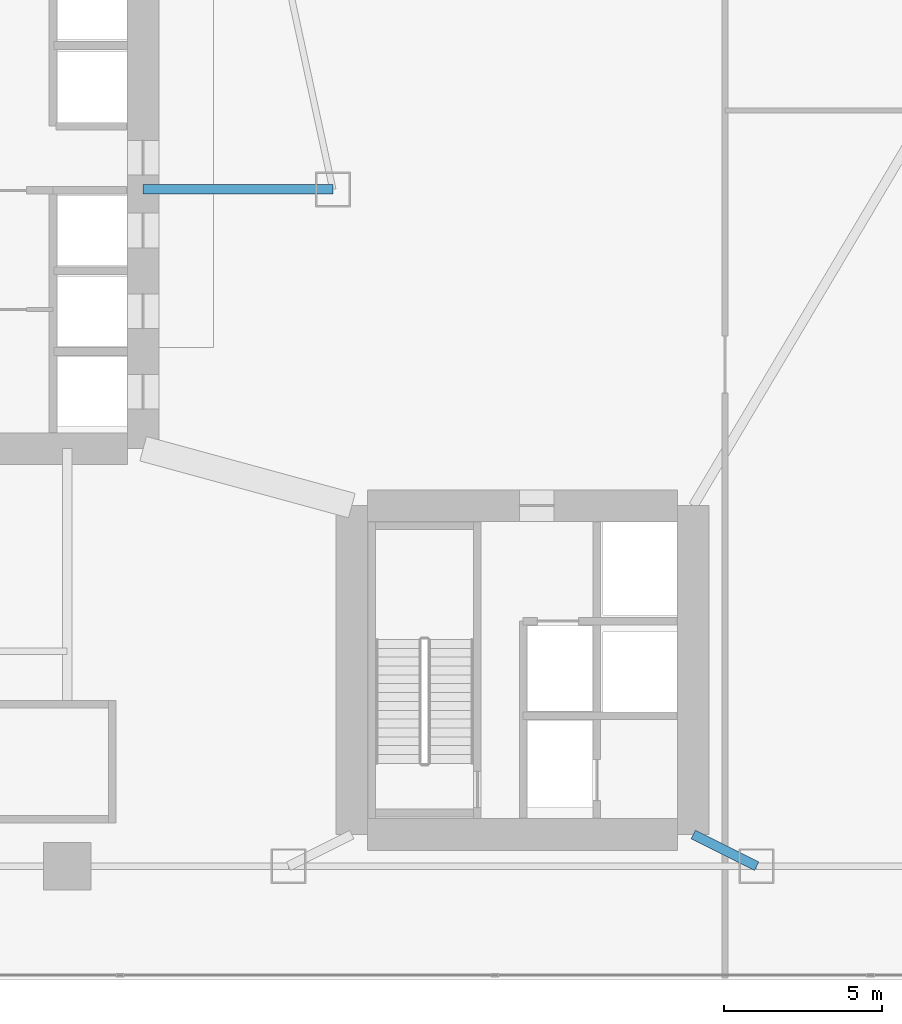
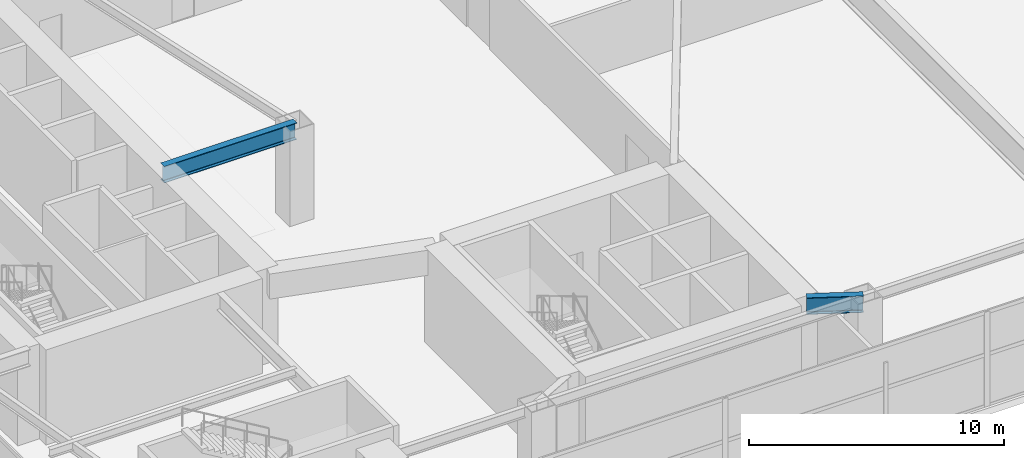
# One storey, part 10 of 30: 2 beams.
"""IFC4 building model written with IfcOpenShell, lengths in metres."""

from ifc_helpers import new_model, si_unit, direction, frame, origin, origin_2d, place, context, subcontext, project, spatial, i_section, extrude, material, material_profile, profile_set, type_object, element, save


model = new_model("IFC4")

# Units and contexts
model_context = context("Model", 3, precision=1e-05, world=origin(), true_north=direction((0.0, 1.0)))
body_context = subcontext(model_context, "Body", "Model", "MODEL_VIEW")
ifc_project = project(units=[si_unit("LENGTHUNIT", "METRE"), si_unit("AREAUNIT", "SQUARE_METRE"), si_unit("VOLUMEUNIT", "CUBIC_METRE"), si_unit("PLANEANGLEUNIT", "RADIAN"), si_unit("MASSUNIT", "GRAM", prefix="KILO")], contexts=[model_context])

# Site, building, storey
site_placement = place(None, origin())
site = spatial("IfcSite", under=ifc_project, at=site_placement, CompositionType="ELEMENT")
building_placement = place(site_placement, origin())
building = spatial("IfcBuilding", under=site, at=building_placement, Name="Calvorn Quay Hotel", CompositionType="ELEMENT")
storey_placement = place(building_placement, frame((0.0, 0.0, 17.0)))
storey = spatial("IfcBuildingStorey", under=building, at=storey_placement, Name="L03", CompositionType="ELEMENT", Elevation=17.0)

# Beams
ifc_material = material(Name="Steel Q390GJC", Category="steel")
ifc_material_profile = material_profile(ifc_material, i_section(OverallWidth=0.300048828125, OverallDepth=0.800048828125, WebThickness=0.013916015625, FlangeThickness=0.02587890625, FilletRadius=0.02392578125, at=origin_2d()), Name="HN800x300x14x26")
ifc_profile_set = profile_set([ifc_material_profile], Name="Steel Q390GJC")
beam_type = type_object("IfcBeamType", Name="BM-GIRD-POD", PredefinedType="BEAM", material=ifc_profile_set)
beam_1_placement = place(storey_placement, frame((21.0, 25.0, 4.14990234375), z_axis=(-1.0, 0.0, 0.0), x_axis=(0.0, -1.0, 0.0)))
element("IfcBeam", 1, at=beam_1_placement, inside=storey, type_object=beam_type, Name="Beam BG-L03-W7", PredefinedType="BEAM", context=body_context, shape_type="SweptSolid", body=[
    extrude(i_section(OverallWidth=0.300048828125, OverallDepth=0.800048828125, WebThickness=0.013916015625, FlangeThickness=0.02587890625, FilletRadius=0.02392578125, at=origin_2d()), origin(), (0.0, 0.0, 1.0), 6.0),
])
beam_2_placement = place(storey_placement, frame((34.39990234375, 3.60009765625, 4.14990234375), z_axis=(-0.894427191, 0.4472135955, 0.0), x_axis=(-0.4472135955, -0.894427191, 0.0)))
element("IfcBeam", 2, at=beam_2_placement, inside=storey, type_object=beam_type, Name="Beam BG-L03-S3", PredefinedType="BEAM", context=body_context, shape_type="SweptSolid", body=[
    extrude(i_section(OverallWidth=0.300048828125, OverallDepth=0.800048828125, WebThickness=0.013916015625, FlangeThickness=0.02587890625, FilletRadius=0.02392578125, at=origin_2d()), origin(), (0.0, 0.0, 1.0), 2.236083984375),
])

save(model, "model.ifc")
